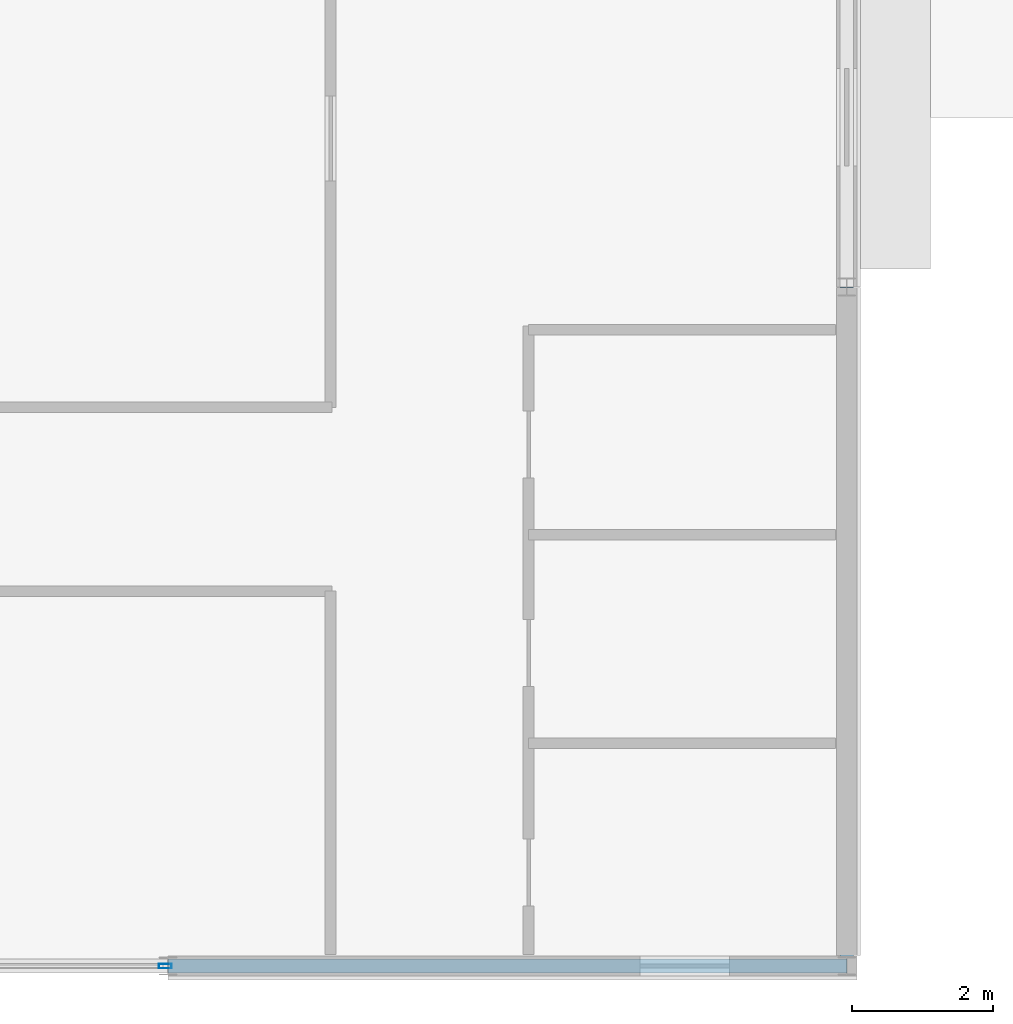
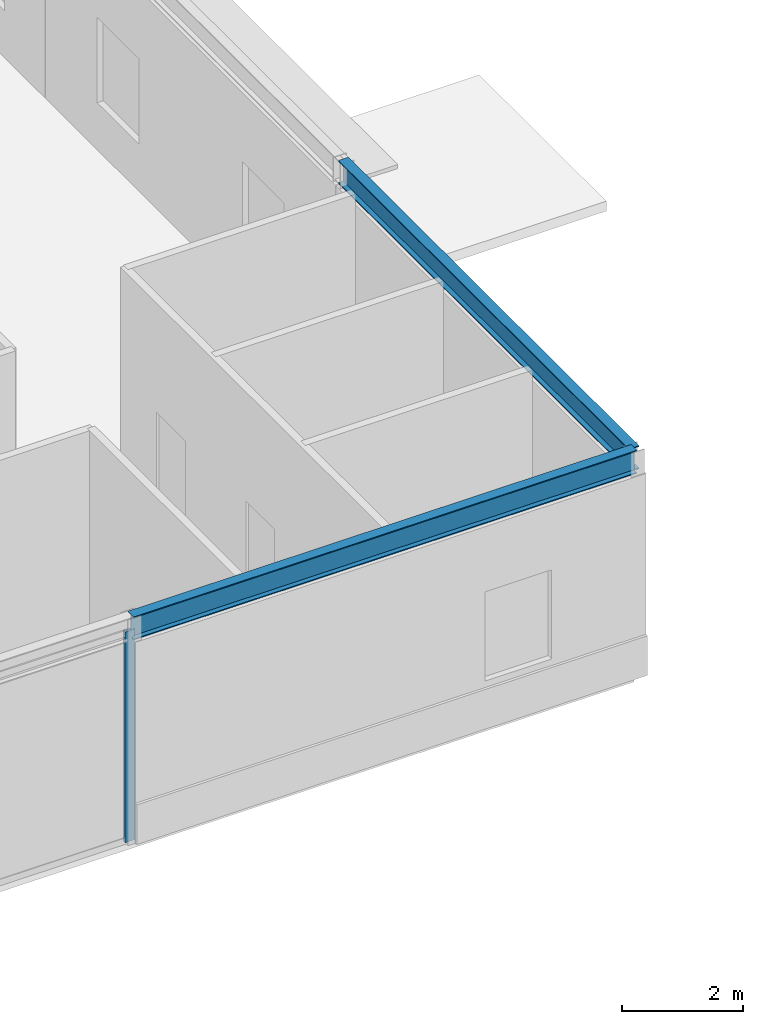
# One storey, part 21 of 133: 2 beams, 1 member, 1 element without a shape of its own.
"""IFC4 building model written with IfcOpenShell, lengths in metres."""

from ifc_helpers import new_model, si_unit, direction, frame, origin, origin_2d, place, context, subcontext, project, spatial, hollow_rectangle, i_section, extrude, material, material_profile, profile_set, type_object, element, aggregate, save


model = new_model("IFC4")

# Units and contexts
model_context = context("Model", 3, precision=1e-05, world=origin(), true_north=direction((0.0, 1.0)))
body_context = subcontext(model_context, "Body", "Model", "MODEL_VIEW")
ifc_project = project(units=[si_unit("LENGTHUNIT", "METRE"), si_unit("AREAUNIT", "SQUARE_METRE"), si_unit("VOLUMEUNIT", "CUBIC_METRE"), si_unit("PLANEANGLEUNIT", "RADIAN"), si_unit("MASSUNIT", "GRAM", prefix="KILO")], contexts=[model_context])

# Site, building, storey
site_placement = place(None, origin())
site = spatial("IfcSite", under=ifc_project, at=site_placement, CompositionType="ELEMENT")
building_placement = place(site_placement, origin())
building = spatial("IfcBuilding", under=site, at=building_placement, Name="Almandine Court Research Institute", CompositionType="ELEMENT")
storey_placement = place(building_placement, frame((0.0, 0.0, 9.800048828125)))
storey = spatial("IfcBuildingStorey", under=building, at=storey_placement, Name="L02", CompositionType="ELEMENT", Elevation=9.800048828125)

# Beams
ifc_material_1 = material(Name="Steel ASTM A992 Grade 50", Category="steel")
ifc_material_profile_1 = material_profile(ifc_material_1, i_section(OverallWidth=0.193115234375, OverallDepth=0.466064453125, WebThickness=0.010986328125, FlangeThickness=0.01904296875, at=origin_2d()), Name="W460x97")
ifc_profile_set_1 = profile_set([ifc_material_profile_1], Name="Steel ASTM A992 Grade 50")
beam_type = type_object("IfcBeamType", Name="Beam-G-06-E", PredefinedType="SPANDREL", material=ifc_profile_set_1)
for number, where, z_axis, x_axis, name in (
    (1, (25.199951171875, 6.0, 4.31689453125), (1.0, 0.0, 0.0), (0.0, 1.0, 0.0), "L02 V1 Primary X Girder"),
    (2, (34.800048828125, 6.0, 4.31689453125), (0.0, 1.0, 0.0), (-1.0, 0.0, 0.0), "L02 V1 Primary Y Girder"),
):
    element("IfcBeam", number, at=place(storey_placement, frame(where, z_axis=z_axis, x_axis=x_axis)), inside=storey, type_object=beam_type, Name=name, PredefinedType="SPANDREL", context=body_context, shape_type="SweptSolid", body=[
        extrude(i_section(OverallWidth=0.193115234375, OverallDepth=0.466064453125, WebThickness=0.010986328125, FlangeThickness=0.01904296875, at=origin_2d()), origin(), (0.0, 0.0, 1.0), 9.60009765625),
    ])

# Curtain wall, member
ifc_material_2 = material(Name="Unitised Curtain Wall Framing and Solar Glazing", Category="glass")
curtain_wall_type = type_object("IfcCurtainWallType", Name="CW-CWJ-03", PredefinedType="USERDEFINED", material=ifc_material_2)
curtain_wall_placement = place(storey_placement, origin())
curtain_wall = element("IfcCurtainWall", 3, at=curtain_wall_placement, inside=storey, type_object=curtain_wall_type, Name="L02 Lecture Foyer South Jali Curtain Wall", ObjectType="SOLAR JALI SCREEN", PredefinedType="USERDEFINED")
ifc_material_3 = material(Name="Anodised Aluminium AW-6063-T6", Category="aluminium")
ifc_material_profile_2 = material_profile(ifc_material_3, hollow_rectangle(XDim=0.06494140625, YDim=0.179931640625, WallThickness=0.00390625, at=origin_2d()), Name="ALU RHS 65x180x4")
ifc_profile_set_2 = profile_set([ifc_material_profile_2], Name="Anodised Aluminium AW-6063-T6")
member_type = type_object("IfcMemberType", Name="CWMul-65x180", PredefinedType="MULLION", material=ifc_profile_set_2)
member_placement = place(storey_placement, frame((25.16357421875, 6.0, 0.0), z_axis=(0.0, 0.0, 1.0), x_axis=(0.0, -1.0, 0.0)))
member = element("IfcMember", 4, at=member_placement, type_object=member_type, Name="CWJ-03 mullion 1", PredefinedType="MULLION", context=body_context, shape_type="SweptSolid", body=[
    extrude(hollow_rectangle(XDim=0.06494140625, YDim=0.179931640625, WallThickness=0.00390625, at=origin_2d()), origin(), (0.0, 0.0, 1.0), 4.25),
])
aggregate(curtain_wall, [member])

save(model, "model.ifc")
